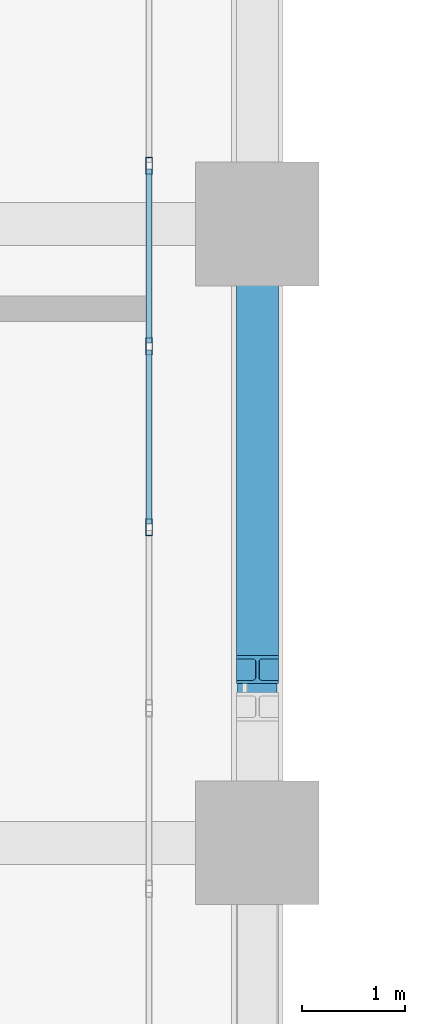
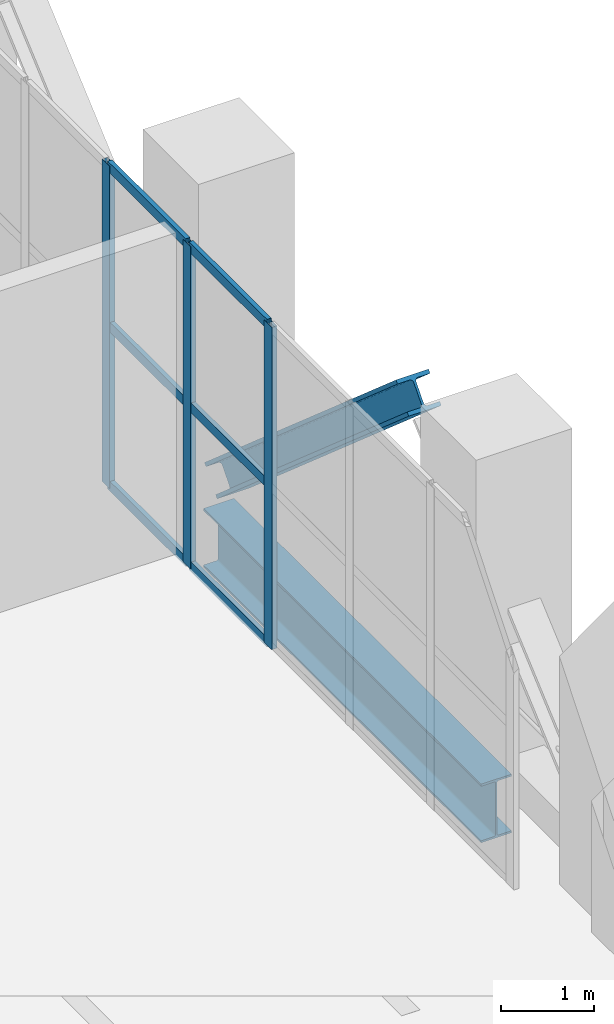
# One storey, part 9 of 27: 10 members, 1 beam, 1 element without a shape of its own.
"""IFC4 building model written with IfcOpenShell, lengths in metres."""

from ifc_helpers import new_model, si_unit, direction, frame, origin, origin_2d, place, context, subcontext, project, spatial, hollow_rectangle, i_section, extrude, material, layer, layer_set, material_profile, profile_set, type_object, element, aggregate, save


model = new_model("IFC4")

# Units and contexts
model_context = context("Model", 3, precision=1e-05, world=origin(), true_north=direction((0.0, 1.0)))
body_context = subcontext(model_context, "Body", "Model", "MODEL_VIEW")
ifc_project = project(units=[si_unit("LENGTHUNIT", "METRE"), si_unit("AREAUNIT", "SQUARE_METRE"), si_unit("VOLUMEUNIT", "CUBIC_METRE"), si_unit("PLANEANGLEUNIT", "RADIAN"), si_unit("MASSUNIT", "GRAM", prefix="KILO")], contexts=[model_context])

# Site, building, storey
site_placement = place(None, origin())
site = spatial("IfcSite", under=ifc_project, at=site_placement, CompositionType="ELEMENT")
building_placement = place(site_placement, origin())
building = spatial("IfcBuilding", under=site, at=building_placement, Name="Mawjdan Bourse Tower", CompositionType="ELEMENT")
storey_placement = place(building_placement, frame((0.0, 0.0, 84.60009765625)))
storey = spatial("IfcBuildingStorey", under=building, at=storey_placement, Name="L19", CompositionType="ELEMENT", Elevation=84.60009765625)

# Member
ifc_material_1 = material(Name="Structural Steel S460", Category="steel")
ifc_material_profile_1 = material_profile(ifc_material_1, i_section(OverallWidth=0.406005859375, OverallDepth=0.416015625, WebThickness=0.02978515625, FlangeThickness=0.048095703125, FilletRadius=0.038330078125, at=origin_2d()), Name="W14X257")
ifc_profile_set_1 = profile_set([ifc_material_profile_1], Name="Structural Steel S460")
member_type_1 = type_object("IfcMemberType", Name="BRC-W14X257", PredefinedType="BRACE", material=ifc_profile_set_1)
member_1_placement = place(storey_placement, frame((24.0, 25.679931640625, 3.7998046875), z_axis=(0.0, 0.754629472097, -0.656151171486), x_axis=(-1.0, 0.0, 0.0)))
element("IfcMember", 1, at=member_1_placement, inside=storey, type_object=member_type_1, Name="L19 North Wing Perimeter Belt Truss Diagonal 2", PredefinedType="BRACE", context=body_context, shape_type="SweptSolid", body=[
    extrude(i_section(OverallWidth=0.406005859375, OverallDepth=0.416015625, WebThickness=0.02978515625, FlangeThickness=0.048095703125, FilletRadius=0.038330078125, at=origin_2d()), origin(), (0.0, 0.0, 1.0), 5.486328125),
])

# Curtain wall, members
ifc_material_2 = material(Name="Thermally Broken Aluminium and Solar Glass", Category="aluminium")
ifc_layer = layer(ifc_material_2, 0.219970703125)
ifc_layer_set = layer_set([ifc_layer], Name="Thermally Broken Aluminium and Solar Glass")
curtain_wall_type = type_object("IfcCurtainWallType", Name="CW-RFG", PredefinedType="USERDEFINED", material=ifc_layer_set)
curtain_wall_placement = place(storey_placement, origin())
curtain_wall = element("IfcCurtainWall", 2, at=curtain_wall_placement, inside=storey, type_object=curtain_wall_type, Name="L19 Refuge Band North-Wing Louvre Curtain Wall", ObjectType="REFUGE BAND LOUVRE SCREEN", PredefinedType="USERDEFINED")
ifc_material_3 = material(Name="Thermally Broken Anodised Aluminium", Category="aluminium")
ifc_material_profile_2 = material_profile(ifc_material_3, hollow_rectangle(XDim=0.06494140625, YDim=0.1650390625, WallThickness=0.00390625, at=origin_2d()), Name="ALU-MUL-165X65")
ifc_profile_set_2 = profile_set([ifc_material_profile_2], Name="Thermally Broken Anodised Aluminium")
member_type_2 = type_object("IfcMemberType", Name="MUL-ALU-MUL-165X65", PredefinedType="MULLION", material=ifc_profile_set_2)
member_2_placement = place(storey_placement, frame((22.949951171875, 27.06005859375, 0.0), z_axis=(0.0, 0.0, 1.0), x_axis=(-1.0, 0.0, 0.0)))
member_2 = element("IfcMember", 3, at=member_2_placement, type_object=member_type_2, Name="CW-RFG-L19-RFG-W mullion 4", PredefinedType="MULLION", context=body_context, shape_type="SweptSolid", body=[
    extrude(hollow_rectangle(XDim=0.06494140625, YDim=0.1650390625, WallThickness=0.00390625, at=origin_2d()), origin(), (0.0, 0.0, 1.0), 4.25),
])
member_3_placement = place(storey_placement, frame((22.949951171875, 28.813232421875, 0.0), z_axis=(0.0, 0.0, 1.0), x_axis=(-1.0, 0.0, 0.0)))
member_3 = element("IfcMember", 4, at=member_3_placement, type_object=member_type_2, Name="CW-RFG-L19-RFG-W mullion 5", PredefinedType="MULLION", context=body_context, shape_type="SweptSolid", body=[
    extrude(hollow_rectangle(XDim=0.06494140625, YDim=0.1650390625, WallThickness=0.00390625, at=origin_2d()), origin(), (0.0, 0.0, 1.0), 4.25),
])
member_4_placement = place(storey_placement, frame((22.949951171875, 30.566650390625, 0.0), z_axis=(0.0, 0.0, 1.0), x_axis=(-1.0, 0.0, 0.0)))
member_4 = element("IfcMember", 5, at=member_4_placement, type_object=member_type_2, Name="CW-RFG-L19-RFG-W mullion 6", PredefinedType="MULLION", context=body_context, shape_type="SweptSolid", body=[
    extrude(hollow_rectangle(XDim=0.06494140625, YDim=0.1650390625, WallThickness=0.00390625, at=origin_2d()), origin(), (0.0, 0.0, 1.0), 4.25),
])

# Beam
ifc_material_4 = material(Name="Structural Steel S355", Category="steel")
ifc_material_profile_3 = material_profile(ifc_material_4, i_section(OverallWidth=0.381103515625, OverallDepth=0.77294921875, WebThickness=0.0166015625, FlangeThickness=0.027099609375, FilletRadius=0.021728515625, at=origin_2d()), Name="W30X173")
ifc_profile_set_3 = profile_set([ifc_material_profile_3], Name="Structural Steel S355")
beam_type = type_object("IfcBeamType", Name="SPN-W30X173", PredefinedType="SPANDREL", material=ifc_profile_set_3)
beam_placement = place(storey_placement, frame((24.0, 24.0, -0.66650390625), z_axis=(0.0, 1.0, 0.0), x_axis=(-1.0, 0.0, 0.0)))
element("IfcBeam", 6, at=beam_placement, inside=storey, type_object=beam_type, Name="L19 North Wing Spandrel 074", PredefinedType="SPANDREL", context=body_context, shape_type="SweptSolid", body=[
    extrude(i_section(OverallWidth=0.381103515625, OverallDepth=0.77294921875, WebThickness=0.0166015625, FlangeThickness=0.027099609375, FilletRadius=0.021728515625, at=origin_2d()), origin(), (0.0, 0.0, 1.0), 6.0),
])

# Member
ifc_material_profile_4 = material_profile(ifc_material_3, hollow_rectangle(XDim=0.054931640625, YDim=0.1298828125, WallThickness=0.00341796875, at=origin_2d()), Name="ALU-TRN-130X55")
ifc_profile_set_4 = profile_set([ifc_material_profile_4], Name="Thermally Broken Anodised Aluminium")
member_type_3 = type_object("IfcMemberType", Name="TRN-ALU-TRN-130X55", PredefinedType="USERDEFINED", material=ifc_profile_set_4)
member_5_placement = place(storey_placement, frame((22.949951171875, 27.092529296875, 0.02734375), z_axis=(0.0, 1.0, 0.0), x_axis=(-1.0, 0.0, 0.0)))
member_5 = element("IfcMember", 7, at=member_5_placement, type_object=member_type_3, Name="CW-RFG-L19-RFG-W transom 4.1", ObjectType="TRANSOM", PredefinedType="USERDEFINED", context=body_context, shape_type="SweptSolid", body=[
    extrude(hollow_rectangle(XDim=0.054931640625, YDim=0.1298828125, WallThickness=0.00341796875, at=origin_2d()), origin(), (0.0, 0.0, 1.0), 1.688232421875),
])

member_6_placement = place(storey_placement, frame((22.949951171875, 27.092529296875, 2.125), z_axis=(0.0, 1.0, 0.0), x_axis=(-1.0, 0.0, 0.0)))
member_6 = element("IfcMember", 8, at=member_6_placement, type_object=member_type_3, Name="CW-RFG-L19-RFG-W transom 4.2", ObjectType="TRANSOM", PredefinedType="USERDEFINED", context=body_context, shape_type="SweptSolid", body=[
    extrude(hollow_rectangle(XDim=0.054931640625, YDim=0.1298828125, WallThickness=0.00341796875, at=origin_2d()), origin(), (0.0, 0.0, 1.0), 1.688232421875),
])

member_7_placement = place(storey_placement, frame((22.949951171875, 27.092529296875, 4.222412109375), z_axis=(0.0, 1.0, 0.0), x_axis=(-1.0, 0.0, 0.0)))
member_7 = element("IfcMember", 9, at=member_7_placement, type_object=member_type_3, Name="CW-RFG-L19-RFG-W transom 4.3", ObjectType="TRANSOM", PredefinedType="USERDEFINED", context=body_context, shape_type="SweptSolid", body=[
    extrude(hollow_rectangle(XDim=0.054931640625, YDim=0.1298828125, WallThickness=0.00341796875, at=origin_2d()), origin(), (0.0, 0.0, 1.0), 1.688232421875),
])

member_8_placement = place(storey_placement, frame((22.949951171875, 28.845947265625, 0.02734375), z_axis=(0.0, 1.0, 0.0), x_axis=(-1.0, 0.0, 0.0)))
member_8 = element("IfcMember", 10, at=member_8_placement, type_object=member_type_3, Name="CW-RFG-L19-RFG-W transom 5.1", ObjectType="TRANSOM", PredefinedType="USERDEFINED", context=body_context, shape_type="SweptSolid", body=[
    extrude(hollow_rectangle(XDim=0.054931640625, YDim=0.1298828125, WallThickness=0.00341796875, at=origin_2d()), origin(), (0.0, 0.0, 1.0), 1.688232421875),
])

member_9_placement = place(storey_placement, frame((22.949951171875, 28.845947265625, 2.125), z_axis=(0.0, 1.0, 0.0), x_axis=(-1.0, 0.0, 0.0)))
member_9 = element("IfcMember", 11, at=member_9_placement, type_object=member_type_3, Name="CW-RFG-L19-RFG-W transom 5.2", ObjectType="TRANSOM", PredefinedType="USERDEFINED", context=body_context, shape_type="SweptSolid", body=[
    extrude(hollow_rectangle(XDim=0.054931640625, YDim=0.1298828125, WallThickness=0.00341796875, at=origin_2d()), origin(), (0.0, 0.0, 1.0), 1.688232421875),
])

member_10_placement = place(storey_placement, frame((22.949951171875, 28.845947265625, 4.222412109375), z_axis=(0.0, 1.0, 0.0), x_axis=(-1.0, 0.0, 0.0)))
member_10 = element("IfcMember", 12, at=member_10_placement, type_object=member_type_3, Name="CW-RFG-L19-RFG-W transom 5.3", ObjectType="TRANSOM", PredefinedType="USERDEFINED", context=body_context, shape_type="SweptSolid", body=[
    extrude(hollow_rectangle(XDim=0.054931640625, YDim=0.1298828125, WallThickness=0.00341796875, at=origin_2d()), origin(), (0.0, 0.0, 1.0), 1.688232421875),
])

aggregate(curtain_wall, [member_2, member_3, member_4, member_5, member_6, member_7, member_8, member_9, member_10])

save(model, "model.ifc")
